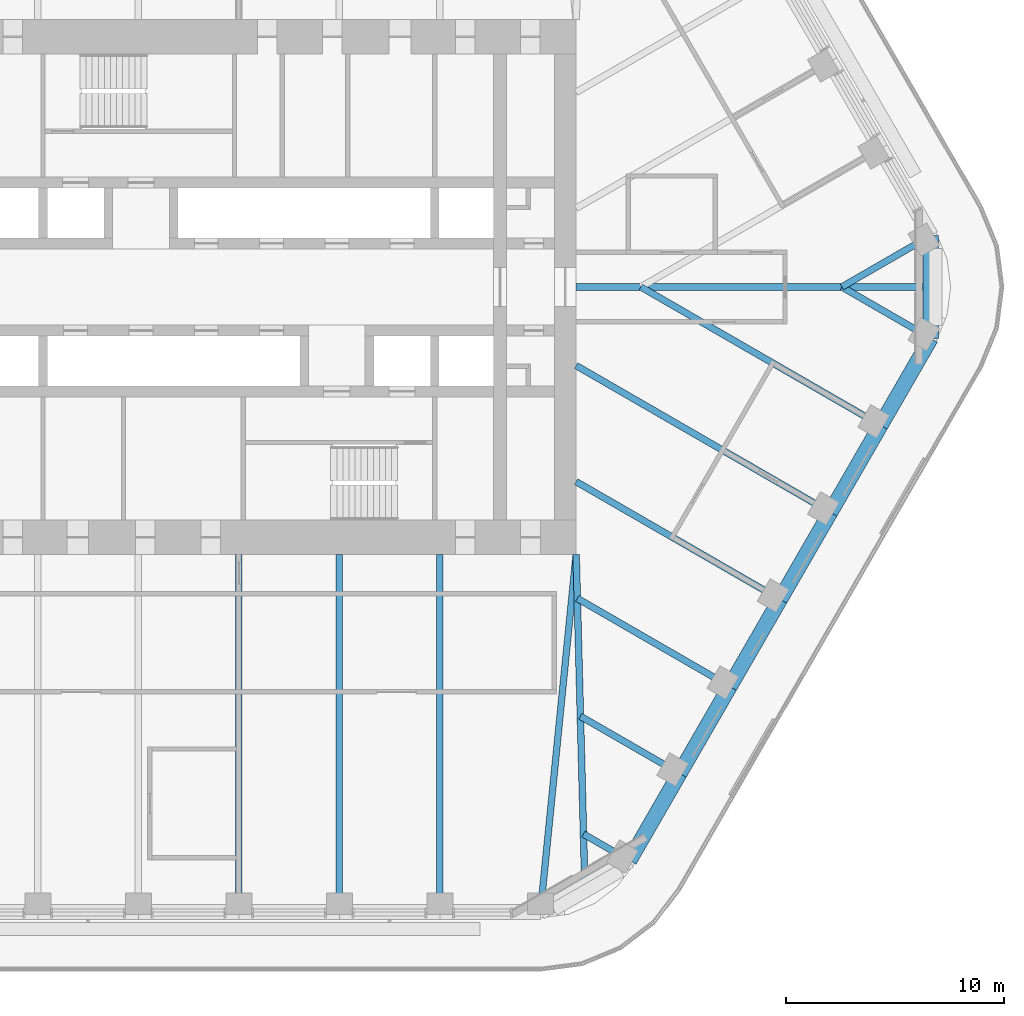
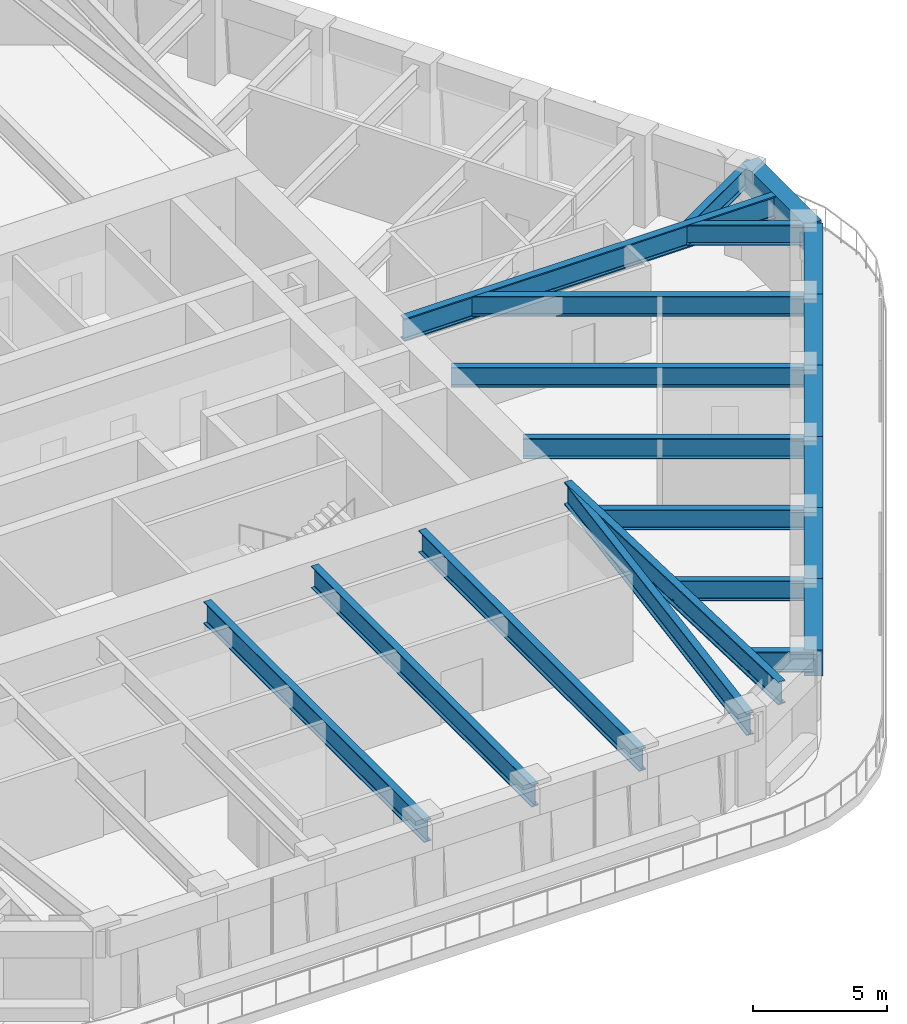
# One storey, part 5 of 20: 21 beams.
"""IFC4 building model written with IfcOpenShell, lengths in metres."""

import ifcopenshell
import ifcopenshell.guid

model = None  # the IFC model being written
_history = None  # IfcOwnerHistory: only IFC2X3 demands one
_inside = {}  # id of a spatial element -> (the spatial element, [elements in it])
_under = {}  # id of a project, library or spatial element -> (it, [spatial elements below it])
_declared = {}  # id of a project -> (the project, [libraries it declares])
_typed = {}  # id of a type object -> (the type object, [elements of that type])
_made_of = {}  # id of a material, layer set ... -> (it, [elements and type objects made of it])


def new_model(schema):
    """Start an empty IFC model of exactly this schema.

    Asked for "IFC4X3", IfcOpenShell would pick the latest addendum, in which some entities
    have other attributes; the version numbers below select the first issue.
    IFC2X3 requires an IfcOwnerHistory on every rooted entity: one is made here for all.
    """
    global model, _history
    if schema == "IFC4X3":
        model = ifcopenshell.file(schema_version=(4, 3, 0, 0))
    else:
        model = ifcopenshell.file(schema=schema)
    _inside.clear()
    _under.clear()
    _declared.clear()
    _typed.clear()
    _made_of.clear()
    _history = None
    if model.schema == "IFC2X3":
        org = make("IfcOrganization", Name="unknown")
        user = make(
            "IfcPersonAndOrganization",
            ThePerson=make("IfcPerson", FamilyName="unknown"),
            TheOrganization=org,
        )
        app = make(
            "IfcApplication",
            ApplicationDeveloper=org,
            Version="unknown",
            ApplicationFullName="unknown",
            ApplicationIdentifier="unknown",
        )
        _history = make(
            "IfcOwnerHistory",
            OwningUser=user,
            OwningApplication=app,
            ChangeAction="ADDED",
            CreationDate=0,
        )
    return model


def make(cls, **values):
    """One entity of the class cls with the attributes given. An attribute that is None is left unset."""
    return model.create_entity(
        cls, **{name: value for name, value in values.items() if value is not None}
    )


def rooted(cls, **values):
    """An entity with a GlobalId (a new one), such as an element, a storey or a relation."""
    return make(cls, GlobalId=ifcopenshell.guid.new(), OwnerHistory=_history, **values)


def si_unit(unit_type, name, prefix=None):
    """IfcSIUnit, for example si_unit("LENGTHUNIT", "METRE", prefix="MILLI")."""
    return make("IfcSIUnit", UnitType=unit_type, Prefix=prefix, Name=name)


def assignment(units):
    """IfcUnitAssignment: the units of a project."""
    return None if units is None else make("IfcUnitAssignment", Units=units)


def point(xyz):
    """IfcCartesianPoint."""
    return None if xyz is None else make("IfcCartesianPoint", Coordinates=xyz)


def direction(xyz):
    """IfcDirection."""
    return None if xyz is None else make("IfcDirection", DirectionRatios=xyz)


def frame(location, z_axis=None, x_axis=None):
    """IfcAxis2Placement3D, a coordinate frame: its origin and axes. An axis left out is left unset."""
    return make(
        "IfcAxis2Placement3D",
        Location=point(location),
        Axis=direction(z_axis),
        RefDirection=direction(x_axis),
    )


def frame_2d(location, x_axis=None):
    """IfcAxis2Placement2D, a coordinate frame in the plane: its origin and x axis."""
    return make(
        "IfcAxis2Placement2D", Location=point(location), RefDirection=direction(x_axis)
    )


def origin():
    """The frame at (0, 0, 0) with its axes left unset."""
    return frame((0.0, 0.0, 0.0))


def origin_2d():
    """The frame at (0, 0) in the plane with its x axis left unset."""
    return frame_2d((0.0, 0.0))


def place(relative_to, where):
    """IfcLocalPlacement: puts the frame where relative to a parent placement (None: the world)."""
    return make(
        "IfcLocalPlacement", PlacementRelTo=relative_to, RelativePlacement=where
    )


def context(
    kind, dimensions, precision=None, world=None, true_north=None, identifier=None
):
    """IfcGeometricRepresentationContext, for example the 3D "Model" context."""
    return make(
        "IfcGeometricRepresentationContext",
        ContextIdentifier=identifier,
        ContextType=kind,
        CoordinateSpaceDimension=dimensions,
        Precision=precision,
        WorldCoordinateSystem=world,
        TrueNorth=true_north,
    )


def subcontext(parent, identifier, kind, view, scale=None):
    """IfcGeometricRepresentationSubContext, for example "Body" below "Model"."""
    return make(
        "IfcGeometricRepresentationSubContext",
        ContextIdentifier=identifier,
        ContextType=kind,
        ParentContext=parent,
        TargetScale=scale,
        TargetView=view,
    )


def project(units=None, contexts=None):
    """IfcProject with its units and contexts."""
    return rooted(
        "IfcProject",
        Name="project",
        RepresentationContexts=contexts,
        UnitsInContext=assignment(units),
    )


def spatial(cls, under=None, at=None, **own):
    """A site, building, storey or space (cls), placed at a placement, below another one or the project."""
    s = rooted(cls, ObjectPlacement=at, **own)
    if under is not None:
        _under.setdefault(under.id(), (under, []))[1].append(s)
    return s


def profile(cls, at=None, kind="AREA", **sizes):
    """A parametric profile (cls). Its sizes go by their IFC names, for example OverallWidth=200.0."""
    return make(cls, ProfileType=kind, Position=at, **sizes)


def rectangle(**sizes):
    """IfcRectangleProfileDef."""
    return profile("IfcRectangleProfileDef", **sizes)


def i_section(**sizes):
    """IfcIShapeProfileDef."""
    return profile("IfcIShapeProfileDef", **sizes)


def extrude(swept, where, along, depth):
    """IfcExtrudedAreaSolid: the profile swept, set in the frame where, extruded along a direction by depth."""
    return make(
        "IfcExtrudedAreaSolid",
        SweptArea=swept,
        Position=where,
        ExtrudedDirection=direction(along),
        Depth=depth,
    )


def shape(context_of_items, identifier, shape_type, items):
    """IfcShapeRepresentation: the items that make up one representation, for example the "Body"."""
    return make(
        "IfcShapeRepresentation",
        ContextOfItems=context_of_items,
        RepresentationIdentifier=identifier,
        RepresentationType=shape_type,
        Items=items,
    )


def material(Name=None, Category=None):
    """IfcMaterial."""
    return make("IfcMaterial", Name=Name, Category=Category)


def material_profile(
    of_material, cross_section, Name=None, Category=None, Priority=None
):
    """IfcMaterialProfile: a cross section and its material."""
    return make(
        "IfcMaterialProfile",
        Name=Name,
        Material=of_material,
        Profile=cross_section,
        Priority=Priority,
        Category=Category,
    )


def profile_set(profiles, Name=None, composite=None):
    """IfcMaterialProfileSet."""
    return make(
        "IfcMaterialProfileSet",
        Name=Name,
        MaterialProfiles=profiles,
        CompositeProfile=composite,
    )


def made_of(thing, what):
    """Note that an element or type object is made of a material, layer set ...; save() writes the relation."""
    if what is not None:
        _made_of.setdefault(what.id(), (what, []))[1].append(thing)
    return thing


def type_object(cls, material=None, **own):
    """A type object (cls), such as IfcWallType, which elements share."""
    return made_of(rooted(cls, **own), material)


def element(
    cls,
    number,
    at=None,
    inside=None,
    cuts=None,
    type_object=None,
    material=None,
    context=None,
    identifier="Body",
    shape_type=None,
    held_by="IfcProductDefinitionShape",
    body=None,
    shapes=None,
    **own,
):
    """One element of the class cls, such as IfcWall. Its Tag is "e" and its number.

    at: its placement. inside: the storey or other place that contains it. cuts: it is an
    opening in that element (IfcRelVoidsElement). A single representation is given by context,
    identifier, shape_type and body (its items); several are given by shapes. held_by: the class
    of the entity that holds the representations. save() writes the other relations.
    """
    e = rooted(cls, Tag="e%d" % number, ObjectPlacement=at, **own)
    if body is not None:
        shapes = [shape(context, identifier, shape_type, body)]
    if shapes is not None:
        e.Representation = make(held_by, Representations=shapes)
    if inside is not None:
        _inside.setdefault(inside.id(), (inside, []))[1].append(e)
    if cuts is not None:
        rooted(
            "IfcRelVoidsElement", RelatingBuildingElement=cuts, RelatedOpeningElement=e
        )
    if type_object is not None:
        _typed.setdefault(type_object.id(), (type_object, []))[1].append(e)
    return made_of(e, material)


def aggregate(whole, parts):
    """IfcRelAggregates: a whole, such as a stair, and the parts it consists of."""
    return rooted("IfcRelAggregates", RelatingObject=whole, RelatedObjects=parts)


def save(model, path):
    """Write the relations noted so far, then the file.

    IfcRelAggregates (storeys below a building ...), IfcRelContainedInSpatialStructure (elements
    in a storey), IfcRelDefinesByType, IfcRelAssociatesMaterial and IfcRelDeclares: one each for
    every whole, place, type object, material and project.
    """
    for whole, parts in _under.values():
        aggregate(whole, parts)
    for where, things in _inside.values():
        rooted(
            "IfcRelContainedInSpatialStructure",
            RelatedElements=things,
            RelatingStructure=where,
        )
    for kind, things in _typed.values():
        rooted("IfcRelDefinesByType", RelatedObjects=things, RelatingType=kind)
    for what, things in _made_of.values():
        rooted("IfcRelAssociatesMaterial", RelatedObjects=things, RelatingMaterial=what)
    for by, libraries in _declared.values():
        rooted("IfcRelDeclares", RelatingContext=by, RelatedDefinitions=libraries)
    model.write(path)


model = new_model("IFC4")

# Units and contexts
model_context = context("Model", 3, precision=1e-05, world=origin(), true_north=direction((0.0, 1.0)))
body_context = subcontext(model_context, "Body", "Model", "MODEL_VIEW")
ifc_project = project(units=[si_unit("LENGTHUNIT", "METRE"), si_unit("AREAUNIT", "SQUARE_METRE"), si_unit("VOLUMEUNIT", "CUBIC_METRE"), si_unit("PLANEANGLEUNIT", "RADIAN"), si_unit("MASSUNIT", "GRAM", prefix="KILO")], contexts=[model_context])

# Site, building, storey
site_placement = place(None, origin())
site = spatial("IfcSite", under=ifc_project, at=site_placement, CompositionType="ELEMENT")
building_placement = place(site_placement, origin())
building = spatial("IfcBuilding", under=site, at=building_placement, Name="Tarfa Lantern Tower", CompositionType="ELEMENT")
storey_placement = place(building_placement, frame((0.0, 0.0, 261.699951171875)))
storey = spatial("IfcBuildingStorey", under=building, at=storey_placement, Name="L59", CompositionType="ELEMENT", Elevation=261.699951171875)

# Beams
ifc_material_1 = material(Name="Concrete C80/95", Category="concrete")
ifc_material_profile_1 = material_profile(ifc_material_1, rectangle(XDim=0.699951171875, YDim=1.199951171875, at=origin_2d()), Name="RC 700x1200")
ifc_profile_set_1 = profile_set([ifc_material_profile_1], Name="Concrete C80/95")
beam_type_1 = type_object("IfcBeamType", Name="EB3 RC 700x1200", PredefinedType="SPANDREL", material=ifc_profile_set_1)
for number, where, z_axis, x_axis, name in (
    (1, (17.944091796875, -26.360107421875, 3.400146484375), (0.499987836815, 0.866032426089, 0.0), (-0.866032426089, 0.499987836815, 0.0), "Edge beam SE0"),
    (2, (20.25341796875, -22.360107421875, 3.400146484375), (0.499987836815, 0.866032426089, 0.0), (-0.866032426089, 0.499987836815, 0.0), "Edge beam SE1"),
):
    element("IfcBeam", number, at=place(storey_placement, frame(where, z_axis=z_axis, x_axis=x_axis)), inside=storey, type_object=beam_type_1, Name=name, PredefinedType="SPANDREL", context=body_context, shape_type="SweptSolid", body=[
        extrude(rectangle(XDim=0.699951171875, YDim=1.199951171875, at=origin_2d()), origin(), (0.0, 0.0, 1.0), 4.61865234375),
    ])
beam_1_placement = place(storey_placement, frame((22.562744140625, -18.360107421875, 3.400146484375), z_axis=(0.500027479704, 0.866009537788, 0.0), x_axis=(-0.866009537788, 0.500027479704, 0.0)))
element("IfcBeam", 3, at=beam_1_placement, inside=storey, type_object=beam_type_1, Name="Edge beam SE2", PredefinedType="SPANDREL", context=body_context, shape_type="SweptSolid", body=[
    extrude(rectangle(XDim=0.699951171875, YDim=1.199951171875, at=origin_2d()), origin(), (0.0, 0.0, 1.0), 4.618896484375),
])
for number, where, z_axis, x_axis, name in (
    (4, (24.872314453125, -14.360107421875, 3.400146484375), (0.499987836815, 0.866032426089, 0.0), (-0.866032426089, 0.499987836815, 0.0), "Edge beam SE3"),
    (5, (27.181640625, -10.360107421875, 3.400146484375), (0.499987836815, 0.866032426089, 0.0), (-0.866032426089, 0.499987836815, 0.0), "Edge beam SE4"),
):
    element("IfcBeam", number, at=place(storey_placement, frame(where, z_axis=z_axis, x_axis=x_axis)), inside=storey, type_object=beam_type_1, Name=name, PredefinedType="SPANDREL", context=body_context, shape_type="SweptSolid", body=[
        extrude(rectangle(XDim=0.699951171875, YDim=1.199951171875, at=origin_2d()), origin(), (0.0, 0.0, 1.0), 4.61865234375),
    ])
beam_2_placement = place(storey_placement, frame((29.490966796875, -6.360107421875, 3.400146484375), z_axis=(0.500027479704, 0.866009537788, 0.0), x_axis=(-0.866009537788, 0.500027479704, 0.0)))
element("IfcBeam", 6, at=beam_2_placement, inside=storey, type_object=beam_type_1, Name="Edge beam SE5", PredefinedType="SPANDREL", context=body_context, shape_type="SweptSolid", body=[
    extrude(rectangle(XDim=0.699951171875, YDim=1.199951171875, at=origin_2d()), origin(), (0.0, 0.0, 1.0), 4.618896484375),
])
beam_3_placement = place(storey_placement, frame((31.800537109375, -2.360107421875, 3.400146484375), z_axis=(0.0, 1.0, 0.0), x_axis=(-1.0, 0.0, 0.0)))
element("IfcBeam", 7, at=beam_3_placement, inside=storey, type_object=beam_type_1, Name="Edge beam SE6", PredefinedType="SPANDREL", context=body_context, shape_type="SweptSolid", body=[
    extrude(rectangle(XDim=0.699951171875, YDim=1.199951171875, at=origin_2d()), origin(), (0.0, 0.0, 1.0), 4.72021484375),
])
ifc_material_2 = material(Name="Steel S460M", Category="steel")
ifc_material_profile_2 = material_profile(ifc_material_2, i_section(OverallWidth=0.302001953125, OverallDepth=1.008056640625, WebThickness=0.02099609375, FlangeThickness=0.0400390625, FilletRadius=0.030029296875, at=origin_2d()), Name="UB1016x305x349")
ifc_profile_set_2 = profile_set([ifc_material_profile_2], Name="Steel S460M")
beam_type_2 = type_object("IfcBeamType", Name="UB1016x305x349", PredefinedType="BEAM", material=ifc_profile_set_2)
for number, where, z_axis, x_axis, name in (
    (8, (0.0, -28.719970703125, 3.49609375), (0.0, 1.0, 0.0), (-1.0, 0.0, 0.0), "Floor beam S3"),
    (9, (4.618896484375, -28.719970703125, 3.49609375), (0.0, 1.0, 0.0), (-1.0, 0.0, 0.0), "Floor beam S4"),
    (10, (9.237548828125, -28.719970703125, 3.49609375), (0.0, 1.0, 0.0), (-1.0, 0.0, 0.0), "Floor beam S5"),
):
    element("IfcBeam", number, at=place(storey_placement, frame(where, z_axis=z_axis, x_axis=x_axis)), inside=storey, type_object=beam_type_2, Name=name, PredefinedType="BEAM", context=body_context, shape_type="SweptSolid", body=[
        extrude(i_section(OverallWidth=0.302001953125, OverallDepth=1.008056640625, WebThickness=0.02099609375, FlangeThickness=0.0400390625, FilletRadius=0.030029296875, at=origin_2d()), origin(), (0.0, 0.0, 1.0), 16.419921875),
    ])
beam_4_placement = place(storey_placement, frame((13.8564453125, -28.719970703125, 3.49609375), z_axis=(0.099597466746, 0.995027810977, 0.0), x_axis=(-0.995027810977, 0.099597466746, 0.0)))
element("IfcBeam", 11, at=beam_4_placement, inside=storey, type_object=beam_type_2, Name="Floor beam S6", PredefinedType="BEAM", context=body_context, shape_type="SweptSolid", body=[
    extrude(i_section(OverallWidth=0.302001953125, OverallDepth=1.008056640625, WebThickness=0.02099609375, FlangeThickness=0.0400390625, FilletRadius=0.030029296875, at=origin_2d()), origin(), (0.0, 0.0, 1.0), 16.501953125),
])
ifc_material_profile_3 = material_profile(ifc_material_2, i_section(OverallWidth=0.30859375, OverallDepth=1.036376953125, WebThickness=0.030029296875, FlangeThickness=0.05419921875, FilletRadius=0.030029296875, at=origin_2d()), Name="UB1016x305x487")
ifc_profile_set_3 = profile_set([ifc_material_profile_3], Name="Steel S460M")
beam_type_3 = type_object("IfcBeamType", Name="UB1016x305x487", PredefinedType="BEAM", material=ifc_profile_set_3)
beam_5_placement = place(storey_placement, frame((15.5, 0.0, 3.48193359375), z_axis=(1.0, 0.0, 0.0), x_axis=(0.0, 1.0, 0.0)))
element("IfcBeam", 12, at=beam_5_placement, inside=storey, type_object=beam_type_3, Name="Hip girder E", PredefinedType="BEAM", context=body_context, shape_type="SweptSolid", body=[
    extrude(i_section(OverallWidth=0.30859375, OverallDepth=1.036376953125, WebThickness=0.030029296875, FlangeThickness=0.05419921875, FilletRadius=0.030029296875, at=origin_2d()), origin(), (0.0, 0.0, 1.0), 16.300537109375),
])
beam_6_placement = place(storey_placement, frame((15.5, -12.300048828125, 3.48193359375), z_axis=(0.026247301989, -0.999655480222, 0.0), x_axis=(0.999655480222, 0.026247301989, 0.0)))
element("IfcBeam", 13, at=beam_6_placement, inside=storey, type_object=beam_type_3, Name="Hip girder SE", PredefinedType="BEAM", context=body_context, shape_type="SweptSolid", body=[
    extrude(i_section(OverallWidth=0.30859375, OverallDepth=1.036376953125, WebThickness=0.030029296875, FlangeThickness=0.05419921875, FilletRadius=0.030029296875, at=origin_2d()), origin(), (0.0, 0.0, 1.0), 15.245361328125),
])
ifc_material_profile_4 = material_profile(ifc_material_2, i_section(OverallWidth=0.305419921875, OverallDepth=0.91845703125, WebThickness=0.017333984375, FlangeThickness=0.02783203125, FilletRadius=0.01904296875, at=origin_2d()), Name="UB914x305x253")
ifc_profile_set_4 = profile_set([ifc_material_profile_4], Name="Steel S460M")
beam_type_4 = type_object("IfcBeamType", Name="UB914x305x253", PredefinedType="BEAM", material=ifc_profile_set_4)
beam_7_placement = place(storey_placement, frame((31.800537109375, 2.360107421875, 3.540771484375), z_axis=(-0.866015897305, -0.500016465344, 0.0), x_axis=(0.500016465344, -0.866015897305, 0.0)))
element("IfcBeam", 14, at=beam_7_placement, inside=storey, type_object=beam_type_4, Name="Floor beam NE0", PredefinedType="BEAM", context=body_context, shape_type="SweptSolid", body=[
    extrude(i_section(OverallWidth=0.305419921875, OverallDepth=0.91845703125, WebThickness=0.017333984375, FlangeThickness=0.02783203125, FilletRadius=0.01904296875, at=origin_2d()), origin(), (0.0, 0.0, 1.0), 4.719970703125),
])
beam_8_placement = place(storey_placement, frame((17.944091796875, -26.360107421875, 3.540771484375), z_axis=(-0.865980009423, 0.5000786171, 0.0), x_axis=(-0.5000786171, -0.865980009423, 0.0)))
element("IfcBeam", 15, at=beam_8_placement, inside=storey, type_object=beam_type_4, Name="Floor beam SE0", PredefinedType="BEAM", context=body_context, shape_type="SweptSolid", body=[
    extrude(i_section(OverallWidth=0.305419921875, OverallDepth=0.91845703125, WebThickness=0.017333984375, FlangeThickness=0.02783203125, FilletRadius=0.01904296875, at=origin_2d()), origin(), (0.0, 0.0, 1.0), 2.4326171875),
])
beam_9_placement = place(storey_placement, frame((20.25341796875, -22.360107421875, 3.540771484375), z_axis=(-0.86601951648, 0.500010196972, 0.0), x_axis=(-0.500010196972, -0.86601951648, 0.0)))
element("IfcBeam", 16, at=beam_9_placement, inside=storey, type_object=beam_type_4, Name="Floor beam SE1", PredefinedType="BEAM", context=body_context, shape_type="SweptSolid", body=[
    extrude(i_section(OverallWidth=0.305419921875, OverallDepth=0.91845703125, WebThickness=0.017333984375, FlangeThickness=0.02783203125, FilletRadius=0.01904296875, at=origin_2d()), origin(), (0.0, 0.0, 1.0), 5.263671875),
])
beam_10_placement = place(storey_placement, frame((22.562744140625, -18.360107421875, 3.540771484375), z_axis=(-0.866010787764, 0.500025314835, 0.0), x_axis=(-0.500025314835, -0.866010787764, 0.0)))
element("IfcBeam", 17, at=beam_10_placement, inside=storey, type_object=beam_type_4, Name="Floor beam SE2", PredefinedType="BEAM", context=body_context, shape_type="SweptSolid", body=[
    extrude(i_section(OverallWidth=0.305419921875, OverallDepth=0.91845703125, WebThickness=0.017333984375, FlangeThickness=0.02783203125, FilletRadius=0.01904296875, at=origin_2d()), origin(), (0.0, 0.0, 1.0), 8.09423828125),
])
beam_11_placement = place(storey_placement, frame((24.872314453125, -14.360107421875, 3.540771484375), z_axis=(-0.8660244219, 0.500001700669, 0.0), x_axis=(-0.500001700669, -0.8660244219, 0.0)))
element("IfcBeam", 18, at=beam_11_placement, inside=storey, type_object=beam_type_4, Name="Floor beam SE3", PredefinedType="BEAM", context=body_context, shape_type="SweptSolid", body=[
    extrude(i_section(OverallWidth=0.305419921875, OverallDepth=0.91845703125, WebThickness=0.017333984375, FlangeThickness=0.02783203125, FilletRadius=0.01904296875, at=origin_2d()), origin(), (0.0, 0.0, 1.0), 10.822265625),
])
beam_12_placement = place(storey_placement, frame((27.181640625, -10.360107421875, 3.540771484375), z_axis=(-0.866018002818, 0.500012818631, 0.0), x_axis=(-0.500012818631, -0.866018002818, 0.0)))
element("IfcBeam", 19, at=beam_12_placement, inside=storey, type_object=beam_type_4, Name="Floor beam SE4", PredefinedType="BEAM", context=body_context, shape_type="SweptSolid", body=[
    extrude(i_section(OverallWidth=0.305419921875, OverallDepth=0.91845703125, WebThickness=0.017333984375, FlangeThickness=0.02783203125, FilletRadius=0.01904296875, at=origin_2d()), origin(), (0.0, 0.0, 1.0), 13.489013671875),
])
beam_13_placement = place(storey_placement, frame((29.490966796875, -6.360107421875, 3.540771484375), z_axis=(-0.866022258038, 0.500005448553, 0.0), x_axis=(-0.500005448553, -0.866022258038, 0.0)))
element("IfcBeam", 20, at=beam_13_placement, inside=storey, type_object=beam_type_4, Name="Floor beam SE5", PredefinedType="BEAM", context=body_context, shape_type="SweptSolid", body=[
    extrude(i_section(OverallWidth=0.305419921875, OverallDepth=0.91845703125, WebThickness=0.017333984375, FlangeThickness=0.02783203125, FilletRadius=0.01904296875, at=origin_2d()), origin(), (0.0, 0.0, 1.0), 12.719970703125),
])
beam_14_placement = place(storey_placement, frame((31.800537109375, -2.360107421875, 3.540771484375), z_axis=(-0.866015897305, 0.500016465344, 0.0), x_axis=(-0.500016465344, -0.866015897305, 0.0)))
element("IfcBeam", 21, at=beam_14_placement, inside=storey, type_object=beam_type_4, Name="Floor beam SE6", PredefinedType="BEAM", context=body_context, shape_type="SweptSolid", body=[
    extrude(i_section(OverallWidth=0.305419921875, OverallDepth=0.91845703125, WebThickness=0.017333984375, FlangeThickness=0.02783203125, FilletRadius=0.01904296875, at=origin_2d()), origin(), (0.0, 0.0, 1.0), 4.719970703125),
])

save(model, "model.ifc")
